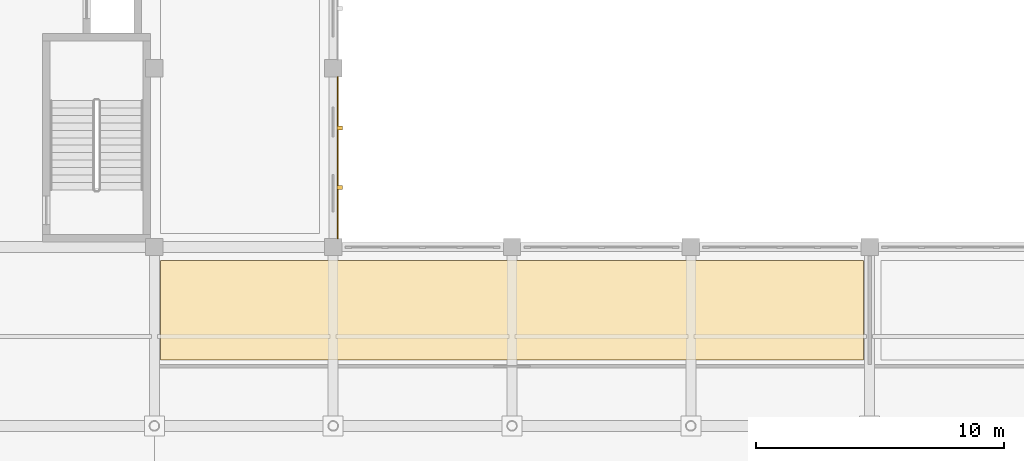
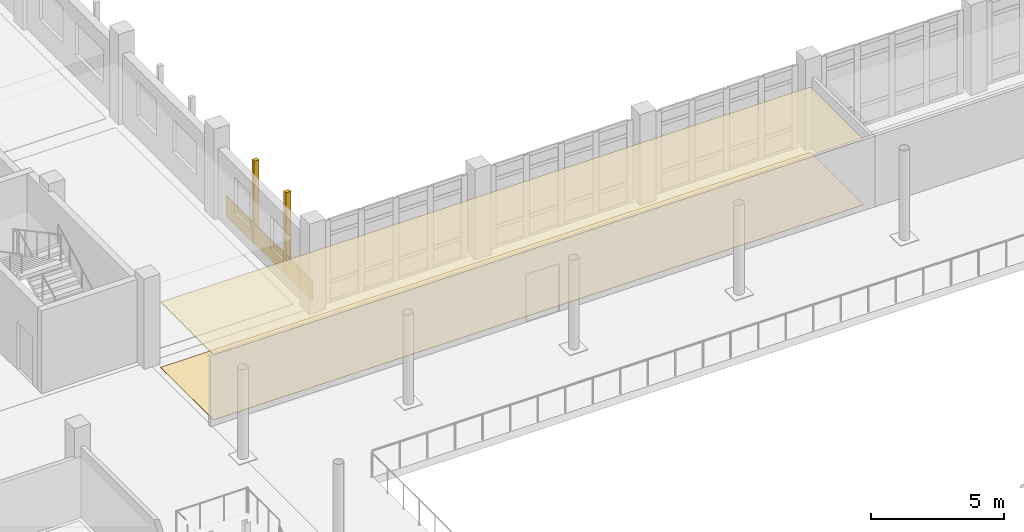
# One storey, part 55 of 62: 3 coverings, 2 shading devices.
"""IFC4 building model written with IfcOpenShell, lengths in metres."""

from ifc_helpers import new_model, si_unit, direction, frame, origin, origin_2d, place, context, subcontext, project, spatial, polyline, rectangle, outline, extrude, material, layer, layer_set, type_object, element, save


model = new_model("IFC4")

# Units and contexts
model_context = context("Model", 3, precision=1e-05, world=origin(), true_north=direction((0.0, 1.0)))
body_context = subcontext(model_context, "Body", "Model", "MODEL_VIEW")
ifc_project = project(units=[si_unit("LENGTHUNIT", "METRE"), si_unit("AREAUNIT", "SQUARE_METRE"), si_unit("VOLUMEUNIT", "CUBIC_METRE"), si_unit("PLANEANGLEUNIT", "RADIAN"), si_unit("MASSUNIT", "GRAM", prefix="KILO")], contexts=[model_context])

# Site, building, storey
site_placement = place(None, origin())
site = spatial("IfcSite", under=ifc_project, at=site_placement, CompositionType="ELEMENT")
building_placement = place(site_placement, origin())
building = spatial("IfcBuilding", under=site, at=building_placement, Name="Valkovuoma Quantum and Materials Research Institute", CompositionType="ELEMENT")
storey_placement = place(building_placement, frame((0.0, 0.0, 8.9599609375)))
storey = spatial("IfcBuildingStorey", under=building, at=storey_placement, Name="L02", CompositionType="ELEMENT", Elevation=8.9599609375)

# Coverings
ifc_material_1 = material(Name="Cleanable acoustic mineral-fibre suspended ceiling", Category="masonry")
ifc_layer_1 = layer(ifc_material_1, 0.02490234375)
ifc_layer_set_1 = layer_set([ifc_layer_1], Name="Cleanable acoustic mineral-fibre suspended ceiling")
covering_type_1 = type_object("IfcCoveringType", Name="Cov-CEIL-01", PredefinedType="CEILING", material=ifc_layer_set_1)
covering_1_placement = place(storey_placement, frame((0.0, 0.0, 3.0)))
element("IfcCovering", 1, at=covering_1_placement, inside=storey, type_object=covering_type_1, Name="L02 acoustic ceiling 0065", PredefinedType="CEILING", context=body_context, shape_type="SweptSolid", body=[
    extrude(outline(polyline([(43.449951171875, 60.25), (71.75, 60.25), (71.75, 64.25), (43.449951171875, 64.25), (43.449951171875, 60.25)])), origin(), (0.0, 0.0, 1.0), 0.025146484375),
])
ifc_material_2 = material(Name="Seamless dissipative laboratory resin flooring", Category="masonry")
ifc_layer_2 = layer(ifc_material_2, 0.014892578125)
ifc_layer_set_2 = layer_set([ifc_layer_2], Name="Seamless dissipative laboratory resin flooring")
covering_type_2 = type_object("IfcCoveringType", Name="Cov-FLOR-01", PredefinedType="FLOORING", material=ifc_layer_set_2)
covering_2_placement = place(storey_placement, origin())
element("IfcCovering", 2, at=covering_2_placement, inside=storey, type_object=covering_type_2, Name="L02 resin flooring 0065", PredefinedType="FLOORING", context=body_context, shape_type="SweptSolid", body=[
    extrude(outline(polyline([(43.449951171875, 60.25), (71.75, 60.25), (71.75, 64.25), (43.449951171875, 64.25), (43.449951171875, 60.25)])), origin(), (0.0, 0.0, 1.0), 0.01513671875),
])
ifc_material_3 = material(Name="Thermally modified Nordic pine timber rainscreen cladding", Category="wood")
ifc_layer_3 = layer(ifc_material_3, 0.044921875)
ifc_layer_set_3 = layer_set([ifc_layer_3], Name="Thermally modified Nordic pine timber rainscreen cladding")
covering_type_3 = type_object("IfcCoveringType", Name="Cov-TIMB-01", PredefinedType="CLADDING", material=ifc_layer_set_3)
covering_3_placement = place(storey_placement, frame((50.590087890625, 68.39990234375, 0.02001953125), z_axis=(0.0, 0.0, 1.0), x_axis=(1.0, 0.0, 0.0)))
element("IfcCovering", 3, at=covering_3_placement, inside=storey, type_object=covering_type_3, Name="L02 Nordic pine spandrel E-030", PredefinedType="CLADDING", context=body_context, shape_type="SweptSolid", body=[
    extrude(rectangle(XDim=0.044921875, YDim=6.52001953125, at=origin_2d()), origin(), (0.0, 0.0, 1.0), 0.919921875),
])

# Shading devices
ifc_material_4 = material(Name="Powder-coated white perforated architectural aluminium panel", Category="aluminium")
ifc_layer_4 = layer(ifc_material_4, 0.050048828125)
ifc_layer_set_4 = layer_set([ifc_layer_4], Name="Powder-coated white perforated architectural aluminium panel")
shading_device_type = type_object("IfcShadingDeviceType", Name="Screen-SCR-MID", PredefinedType="JALOUSIE", material=ifc_layer_set_4)
for number, where, z_axis, x_axis, name in (
    (4, (50.669921875, 67.199951171875, 0.0), (0.0, 0.0, 1.0), (1.0, 0.0, 0.0), "L02 cleanroom facade vertical fin E-0068"),
    (5, (50.669921875, 69.60009765625, 0.0), (0.0, 0.0, 1.0), (1.0, 0.0, 0.0), "L02 cleanroom facade vertical fin E-0069"),
):
    element("IfcShadingDevice", number, at=place(storey_placement, frame(where, z_axis=z_axis, x_axis=x_axis)), inside=storey, type_object=shading_device_type, Name=name, PredefinedType="JALOUSIE", context=body_context, shape_type="SweptSolid", body=[
        extrude(rectangle(XDim=0.219970703125, YDim=0.159912109375, at=origin_2d()), origin(), (0.0, 0.0, 1.0), 3.81005859375),
    ])

save(model, "model.ifc")
